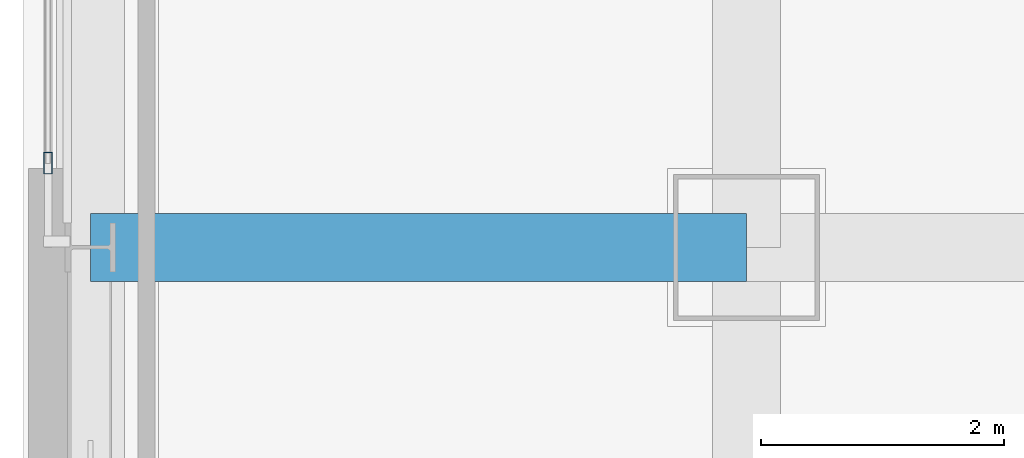
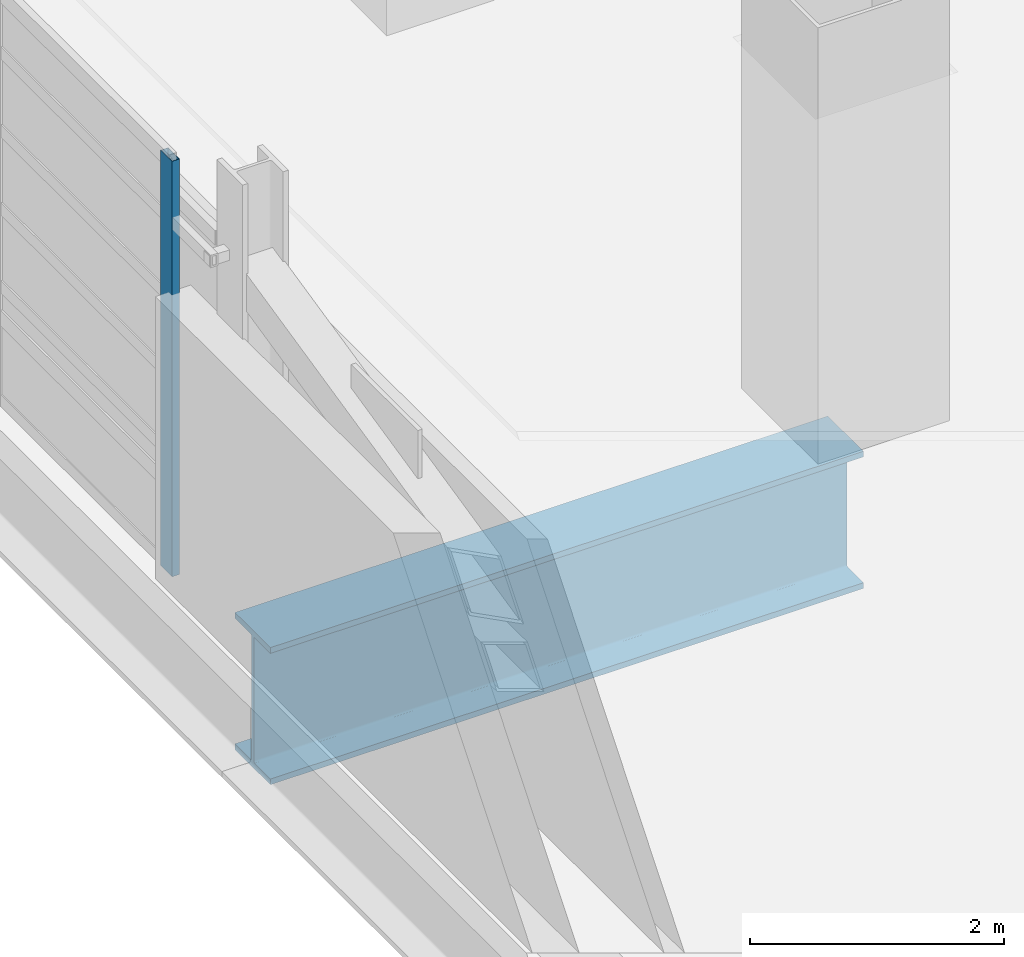
# One storey, part 2 of 31: 1 beam, 1 member, 1 element without a shape of its own.
"""IFC4 building model written with IfcOpenShell, lengths in metres."""

from ifc_helpers import new_model, si_unit, direction, frame, origin, origin_2d, place, context, subcontext, project, spatial, hollow_rectangle, i_section, extrude, material, material_profile, profile_set, type_object, element, aggregate, save


model = new_model("IFC4")

# Units and contexts
model_context = context("Model", 3, precision=1e-05, world=origin(), true_north=direction((0.0, 1.0)))
body_context = subcontext(model_context, "Body", "Model", "MODEL_VIEW")
ifc_project = project(units=[si_unit("LENGTHUNIT", "METRE"), si_unit("AREAUNIT", "SQUARE_METRE"), si_unit("VOLUMEUNIT", "CUBIC_METRE"), si_unit("PLANEANGLEUNIT", "RADIAN"), si_unit("MASSUNIT", "GRAM", prefix="KILO")], contexts=[model_context])

# Site, building, storey
site_placement = place(None, origin())
site = spatial("IfcSite", under=ifc_project, at=site_placement, CompositionType="ELEMENT")
building_placement = place(site_placement, origin())
building = spatial("IfcBuilding", under=site, at=building_placement, Name="Punatoya Terracotta Tower", CompositionType="ELEMENT")
storey_placement = place(building_placement, frame((0.0, 0.0, 283.800048828125)))
storey = spatial("IfcBuildingStorey", under=building, at=storey_placement, Name="L67", CompositionType="ELEMENT", Elevation=283.800048828125)

# Beam
ifc_material_1 = material(Name="Steel S460", Category="steel")
ifc_material_profile_1 = material_profile(ifc_material_1, i_section(OverallWidth=0.56005859375, OverallDepth=1.320068359375, WebThickness=0.035888671875, FlangeThickness=0.054931640625, FilletRadius=0.01806640625, at=origin_2d()))
ifc_profile_set_1 = profile_set([ifc_material_profile_1], Name="Steel S460")
beam_type = type_object("IfcBeamType", Name="BM-TG-BLK", PredefinedType="BEAM", material=ifc_profile_set_1)
beam_placement = place(storey_placement, frame((-24.5, -3.39990234375, -0.93994140625), z_axis=(1.0, 0.0, 0.0), x_axis=(0.0, 1.0, 0.0)))
element("IfcBeam", 1, at=beam_placement, inside=storey, type_object=beam_type, Name="BM-L67-CANT-W2", PredefinedType="BEAM", context=body_context, shape_type="SweptSolid", body=[
    extrude(i_section(OverallWidth=0.56005859375, OverallDepth=1.320068359375, WebThickness=0.035888671875, FlangeThickness=0.054931640625, FilletRadius=0.01806640625, at=origin_2d()), origin(), (0.0, 0.0, 1.0), 5.39990234375),
])

# Curtain wall, member
ifc_material_2 = material(Name="Aluminium 6063-T6 + Double Low-E Glass", Category="aluminium")
curtain_wall_type = type_object("IfcCurtainWallType", Name="CW-M3", PredefinedType="NOTDEFINED", material=ifc_material_2)
curtain_wall_placement = place(storey_placement, origin())
curtain_wall = element("IfcCurtainWall", 2, at=curtain_wall_placement, inside=storey, type_object=curtain_wall_type, Name="L67 Curtain Wall CW-L67-W13-1", PredefinedType="NOTDEFINED")
ifc_material_3 = material(Name="Aluminium 6063-T6", Category="aluminium")
ifc_material_profile_2 = material_profile(ifc_material_3, hollow_rectangle(XDim=0.070068359375, YDim=0.179931640625, WallThickness=0.00390625, at=origin_2d()))
ifc_profile_set_2 = profile_set([ifc_material_profile_2], Name="Aluminium 6063-T6")
member_type = type_object("IfcMemberType", Name="CW-MUL-M3", PredefinedType="MULLION", material=ifc_profile_set_2)
member_placement = place(storey_placement, frame((-24.85009765625, -2.705078125, 0.0), z_axis=(0.0, 0.0, 1.0), x_axis=(1.0, 0.0, 0.0)))
member = element("IfcMember", 3, at=member_placement, type_object=member_type, Name="CW-L67-W13-1 Mullion 02", PredefinedType="MULLION", context=body_context, shape_type="SweptSolid", body=[
    extrude(hollow_rectangle(XDim=0.070068359375, YDim=0.179931640625, WallThickness=0.00390625, at=origin_2d()), origin(), (0.0, 0.0, 1.0), 4.0),
])
aggregate(curtain_wall, [member])

save(model, "model.ifc")
